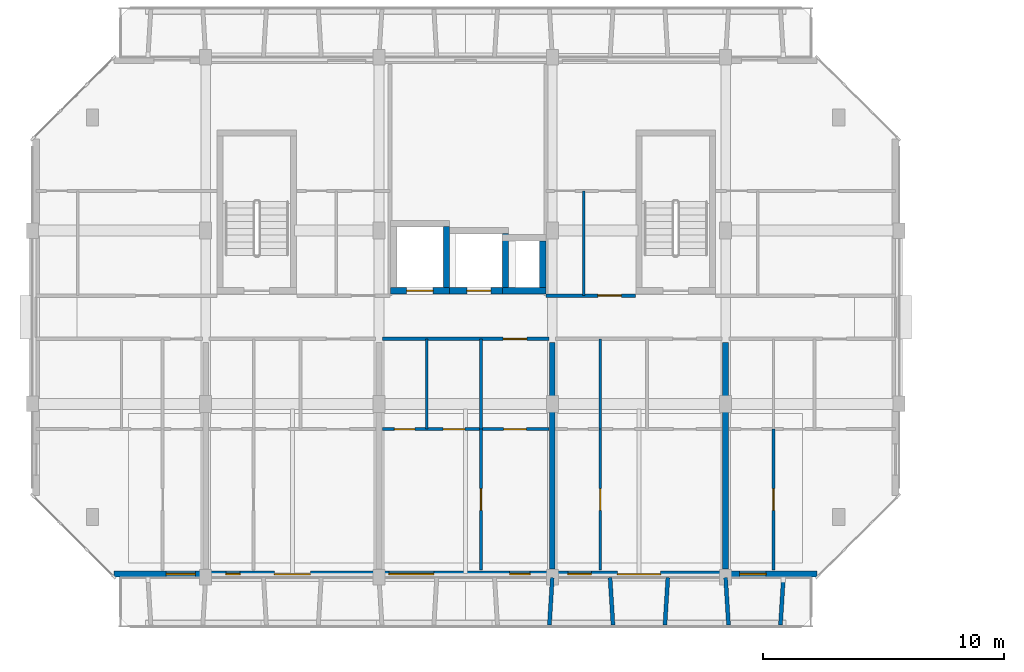
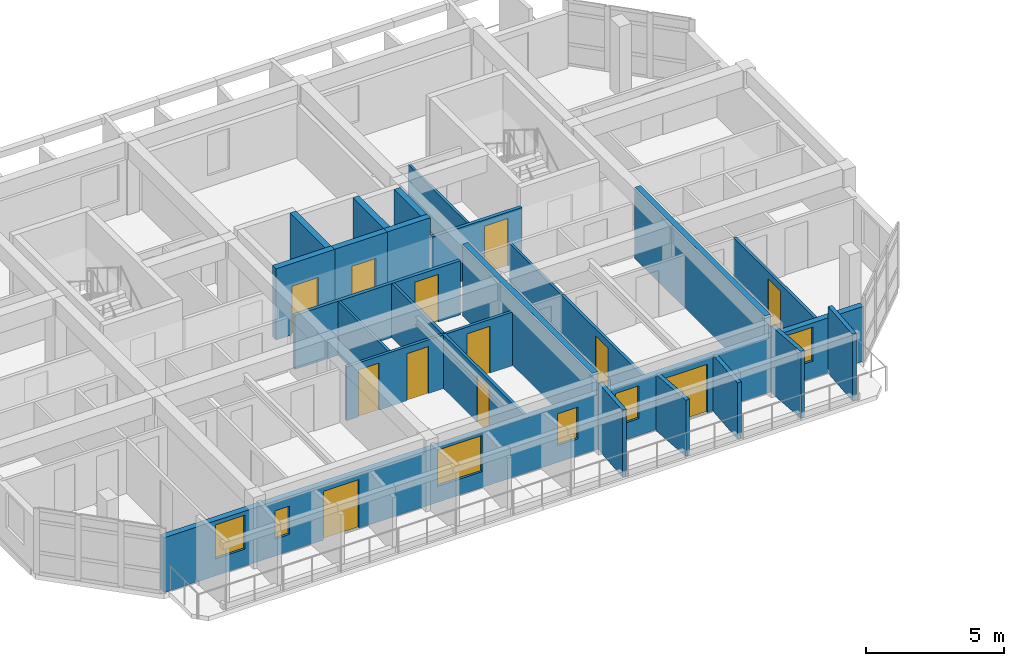
# One storey, part 15 of 43: 24 walls, 12 doors, 6 windows, 18 openings.
"""IFC4 building model written with IfcOpenShell, lengths in metres."""

from ifc_helpers import new_model, si_unit, direction, frame, frame_2d, origin, place, context, subcontext, project, spatial, rectangle, extrude, material, layer, layer_set, type_object, element, fill, save


model = new_model("IFC4")

# Units and contexts
model_context = context("Model", 3, precision=1e-05, world=origin(), true_north=direction((0.0, 1.0)))
body_context = subcontext(model_context, "Body", "Model", "MODEL_VIEW")
ifc_project = project(units=[si_unit("LENGTHUNIT", "METRE"), si_unit("AREAUNIT", "SQUARE_METRE"), si_unit("VOLUMEUNIT", "CUBIC_METRE"), si_unit("PLANEANGLEUNIT", "RADIAN"), si_unit("MASSUNIT", "GRAM", prefix="KILO")], contexts=[model_context])

# Site, building, storey
site_placement = place(None, origin())
site = spatial("IfcSite", under=ifc_project, at=site_placement, CompositionType="ELEMENT")
building_placement = place(site_placement, origin())
building = spatial("IfcBuilding", under=site, at=building_placement, Name="Ochrevale Crest", CompositionType="ELEMENT")
storey_placement = place(building_placement, frame((0.0, 0.0, 15.0)))
storey = spatial("IfcBuildingStorey", under=building, at=storey_placement, Name="L04", CompositionType="ELEMENT", Elevation=15.0)

# Wall, opening, door
ifc_material_1 = material(Name="Gypsum plasterboard", Category="gypsum")
ifc_layer_1 = layer(ifc_material_1, 0.139892578125)
ifc_layer_set_1 = layer_set([ifc_layer_1], Name="Gypsum plasterboard")
wall_type_1 = type_object("IfcWallType", Name="WL-COR-140", PredefinedType="PARTITIONING", material=ifc_layer_set_1)
wall_1_placement = place(storey_placement, frame((14.5400390625, 24.300048828125, 0.0), z_axis=(0.0, 0.0, 1.0), x_axis=(1.0, 0.0, 0.0)))
wall_1 = element("IfcWall", 1, at=wall_1_placement, inside=storey, type_object=wall_type_1, Name="Apartment A-L04-U3 corridor wall", PredefinedType="PARTITIONING", context=body_context, shape_type="SweptSolid", body=[
    extrude(rectangle(XDim=6.919921875, YDim=0.139892578125, at=frame_2d((3.4599609375, 0.0))), origin(), (0.0, 0.0, 1.0), 2.3798828125),
])
opening_1_placement = place(wall_1_placement, frame((5.02001953125, 0.0, 0.0)))
opening_1 = element("IfcOpeningElement", 2, at=opening_1_placement, cuts=wall_1, Name="Opening FD01", PredefinedType="OPENING", context=body_context, shape_type="SweptSolid", body=[
    extrude(rectangle(XDim=0.97998046875, YDim=2.10009765625, at=frame_2d((0.489990234375, 1.050048828125))), frame((0.0, 0.080078125, 0.0), z_axis=(0.0, -1.0, 0.0), x_axis=(1.0, 0.0, 0.0)), (0.0, 0.0, 1.0), 0.159912109375),
])
ifc_material_2 = material(Name="Solid-core FSC hardwood", Category="wood")
door_type_1 = type_object("IfcDoorType", Name="DR-APT-950", OperationType="NOTDEFINED", PredefinedType="DOOR", material=ifc_material_2)
door_1_placement = place(opening_1_placement, origin())
door_1 = element("IfcDoor", 3, at=door_1_placement, inside=storey, type_object=door_type_1, Name="Apartment A-L04-U3 entrance door", OperationType="SINGLE_SWING_LEFT", OverallHeight=2.10009765625, OverallWidth=0.97998046875, PredefinedType="DOOR", context=body_context, shape_type="SweptSolid", body=[
    extrude(rectangle(XDim=0.97998046875, YDim=2.10009765625, at=frame_2d((0.489990234375, 1.050048828125))), frame((0.0, 0.02490234375, 0.0), z_axis=(0.0, -1.0, 0.0), x_axis=(1.0, 0.0, 0.0)), (0.0, 0.0, 1.0), 0.050048828125),
])
fill(opening_1, door_1)

wall_2_placement = place(storey_placement, frame((21.340087890625, 26.10009765625, 0.0), z_axis=(0.0, 0.0, 1.0), x_axis=(1.0, 0.0, 0.0)))
wall_2 = element("IfcWall", 4, at=wall_2_placement, inside=storey, type_object=wall_type_1, Name="Suite A-L04-ME corridor wall", PredefinedType="PARTITIONING", context=body_context, shape_type="SweptSolid", body=[
    extrude(rectangle(XDim=3.719970703125, YDim=0.139892578125, at=frame_2d((1.85986328125, 0.0))), origin(), (0.0, 0.0, 1.0), 2.3798828125),
])
opening_2_placement = place(wall_2_placement, frame((3.131103515625, 0.0, 0.0), z_axis=(0.0, 0.0, 1.0), x_axis=(-1.0, 0.0, 0.0)))
opening_2 = element("IfcOpeningElement", 5, at=opening_2_placement, cuts=wall_2, Name="Opening FD01", PredefinedType="OPENING", context=body_context, shape_type="SweptSolid", body=[
    extrude(rectangle(XDim=0.97998046875, YDim=2.10009765625, at=frame_2d((0.489990234375, 1.050048828125))), frame((0.0, 0.080078125, 0.0), z_axis=(0.0, -1.0, 0.0), x_axis=(1.0, 0.0, 0.0)), (0.0, 0.0, 1.0), 0.159912109375),
])
door_2_placement = place(opening_2_placement, origin())
door_2 = element("IfcDoor", 6, at=door_2_placement, inside=storey, type_object=door_type_1, Name="Suite A-L04-ME entrance door", OperationType="SINGLE_SWING_RIGHT", OverallHeight=2.10009765625, OverallWidth=0.97998046875, PredefinedType="DOOR", context=body_context, shape_type="SweptSolid", body=[
    extrude(rectangle(XDim=0.97998046875, YDim=2.10009765625, at=frame_2d((0.489990234375, 1.050048828125))), frame((0.0, 0.02490234375, 0.0), z_axis=(0.0, -1.0, 0.0), x_axis=(1.0, 0.0, 0.0)), (0.0, 0.0, 1.0), 0.050048828125),
])
fill(opening_2, door_2)

ifc_material_3 = material(Name="Precast concrete C50/60", Category="concrete")
ifc_layer_2 = layer(ifc_material_3, 0.2548828125)
ifc_layer_set_2 = layer_set([ifc_layer_2], Name="Precast concrete C50/60")
wall_type_2 = type_object("IfcWallType", Name="WL-CORE-255", PredefinedType="SHEAR", material=ifc_layer_set_2)
wall_3_placement = place(storey_placement, frame((14.87255859375, 26.300048828125, 0.0), z_axis=(0.0, 0.0, 1.0), x_axis=(1.0, 0.0, 0.0)))
wall_3 = element("IfcWall", 7, at=wall_3_placement, inside=storey, type_object=wall_type_2, Name="Block A L04 Lift 1 precast shaft shear wall S", PredefinedType="SHEAR", context=body_context, shape_type="SweptSolid", body=[
    extrude(rectangle(XDim=2.454833984375, YDim=0.2548828125, at=frame_2d((1.2275390625, 0.0))), origin(), (0.0, 0.0, 1.0), 3.14990234375),
])
opening_3_placement = place(wall_3_placement, frame((0.677490234375, 0.0, 0.0)))
opening_3 = element("IfcOpeningElement", 8, at=opening_3_placement, cuts=wall_3, Name="Opening LD01", PredefinedType="OPENING", context=body_context, shape_type="SweptSolid", body=[
    extrude(rectangle(XDim=1.10009765625, YDim=2.14990234375, at=frame_2d((0.550048828125, 1.074951171875))), frame((0.0, 0.137451171875, 0.0), z_axis=(0.0, -1.0, 0.0), x_axis=(1.0, 0.0, 0.0)), (0.0, 0.0, 1.0), 0.27490234375),
])
door_type_2 = type_object("IfcDoorType", Name="DR-LIFT-1100", OperationType="NOTDEFINED", PredefinedType="DOOR", material=ifc_material_2)
door_3_placement = place(opening_3_placement, origin())
door_3 = element("IfcDoor", 9, at=door_3_placement, inside=storey, type_object=door_type_2, Name="Lift LF-A1 L04 sliding landing door", OperationType="SLIDING_TO_LEFT", OverallHeight=2.14990234375, OverallWidth=1.10009765625, PredefinedType="DOOR", context=body_context, shape_type="SweptSolid", body=[
    extrude(rectangle(XDim=1.10009765625, YDim=2.14990234375, at=frame_2d((0.550048828125, 1.074951171875))), frame((0.0, 0.02490234375, 0.0), z_axis=(0.0, -1.0, 0.0), x_axis=(1.0, 0.0, 0.0)), (0.0, 0.0, 1.0), 0.050048828125),
])
fill(opening_3, door_3)

# Wall
wall_4_placement = place(storey_placement, frame((17.199951171875, 26.427490234375, 0.0), z_axis=(0.0, 0.0, 1.0), x_axis=(0.0, 1.0, 0.0)))
element("IfcWall", 10, at=wall_4_placement, inside=storey, type_object=wall_type_2, Name="Block A L04 Lift 1 precast shaft shear wall E", PredefinedType="SHEAR", context=body_context, shape_type="SweptSolid", body=[
    extrude(rectangle(XDim=2.544921875, YDim=0.2548828125, at=frame_2d((1.2724609375, 0.0))), origin(), (0.0, 0.0, 1.0), 3.14990234375),
])

# Wall, opening, door
wall_5_placement = place(storey_placement, frame((17.322509765625, 26.300048828125, 0.0), z_axis=(0.0, 0.0, 1.0), x_axis=(1.0, 0.0, 0.0)))
wall_5 = element("IfcWall", 11, at=wall_5_placement, inside=storey, type_object=wall_type_2, Name="Block A L04 Lift 2 precast shaft shear wall S", PredefinedType="SHEAR", context=body_context, shape_type="SweptSolid", body=[
    extrude(rectangle(XDim=2.455078125, YDim=0.2548828125, at=frame_2d((1.2275390625, 0.0))), origin(), (0.0, 0.0, 1.0), 3.14990234375),
])
opening_4_placement = place(wall_5_placement, frame((0.7275390625, 0.0, 0.0)))
opening_4 = element("IfcOpeningElement", 12, at=opening_4_placement, cuts=wall_5, Name="Opening LD02", PredefinedType="OPENING", context=body_context, shape_type="SweptSolid", body=[
    extrude(rectangle(XDim=1.0, YDim=2.14990234375, at=frame_2d((0.5, 1.074951171875))), frame((0.0, 0.137451171875, 0.0), z_axis=(0.0, -1.0, 0.0), x_axis=(1.0, 0.0, 0.0)), (0.0, 0.0, 1.0), 0.27490234375),
])
door_type_3 = type_object("IfcDoorType", Name="DR-LIFT-1000", OperationType="NOTDEFINED", PredefinedType="DOOR", material=ifc_material_2)
door_4_placement = place(opening_4_placement, origin())
door_4 = element("IfcDoor", 13, at=door_4_placement, inside=storey, type_object=door_type_3, Name="Lift LP-A2 L04 sliding landing door", OperationType="SLIDING_TO_RIGHT", OverallHeight=2.14990234375, OverallWidth=1.0, PredefinedType="DOOR", context=body_context, shape_type="SweptSolid", body=[
    extrude(rectangle(XDim=1.0, YDim=2.14990234375, at=frame_2d((0.5, 1.074951171875))), frame((0.0, 0.02490234375, 0.0), z_axis=(0.0, -1.0, 0.0), x_axis=(1.0, 0.0, 0.0)), (0.0, 0.0, 1.0), 0.050048828125),
])
fill(opening_4, door_4)

# Walls
wall_6_placement = place(storey_placement, frame((19.64990234375, 26.427490234375, 0.0), z_axis=(0.0, 0.0, 1.0), x_axis=(0.0, 1.0, 0.0)))
element("IfcWall", 14, at=wall_6_placement, inside=storey, type_object=wall_type_2, Name="Block A L04 Lift 2 precast shaft shear wall E", PredefinedType="SHEAR", context=body_context, shape_type="SweptSolid", body=[
    extrude(rectangle(XDim=2.2451171875, YDim=0.2548828125, at=frame_2d((1.12255859375, 0.0))), origin(), (0.0, 0.0, 1.0), 3.14990234375),
])
wall_7_placement = place(storey_placement, frame((19.5224609375, 26.300048828125, 0.0), z_axis=(0.0, 0.0, 1.0), x_axis=(1.0, 0.0, 0.0)))
element("IfcWall", 15, at=wall_7_placement, inside=storey, type_object=wall_type_2, Name="Block A L04 services riser shaft core wall S", PredefinedType="SHEAR", context=body_context, shape_type="SweptSolid", body=[
    extrude(rectangle(XDim=1.804931640625, YDim=0.2548828125, at=frame_2d((0.90234375, 0.0))), origin(), (0.0, 0.0, 1.0), 3.14990234375),
])
wall_8_placement = place(storey_placement, frame((21.199951171875, 26.427490234375, 0.0), z_axis=(0.0, 0.0, 1.0), x_axis=(0.0, 1.0, 0.0)))
element("IfcWall", 16, at=wall_8_placement, inside=storey, type_object=wall_type_2, Name="Block A L04 services riser shaft core wall E", PredefinedType="SHEAR", context=body_context, shape_type="SweptSolid", body=[
    extrude(rectangle(XDim=1.945068359375, YDim=0.2548828125, at=frame_2d((0.97265625, 0.0))), origin(), (0.0, 0.0, 1.0), 3.14990234375),
])

# Wall, openings, doors, windows
ifc_material_4 = material(Name="Precast concrete C40/50", Category="concrete")
ifc_layer_3 = layer(ifc_material_4, 0.25)
ifc_layer_set_3 = layer_set([ifc_layer_3], Name="Precast concrete C40/50")
wall_type_3 = type_object("IfcWallType", Name="WL-EXT-GOLD-250", PredefinedType="SOLIDWALL", material=ifc_layer_set_3)
wall_9_placement = place(storey_placement, frame((3.39990234375, 14.52490234375, 0.0), z_axis=(0.0, 0.0, 1.0), x_axis=(1.0, 0.0, 0.0)))
wall_9 = element("IfcWall", 17, at=wall_9_placement, inside=storey, type_object=wall_type_3, Name="Block A L04 external facade wall E1", PredefinedType="SOLIDWALL", context=body_context, shape_type="SweptSolid", body=[
    extrude(rectangle(XDim=29.2001953125, YDim=0.25, at=frame_2d((14.60009765625, 0.0))), origin(), (0.0, 0.0, 1.0), 2.429931640625),
])
opening_5_placement = place(wall_9_placement, frame((8.14990234375, 0.0, 0.0), z_axis=(0.0, 0.0, 1.0), x_axis=(-1.0, 0.0, 0.0)))
opening_5 = element("IfcOpeningElement", 18, at=opening_5_placement, cuts=wall_9, Name="Opening BD01", PredefinedType="OPENING", context=body_context, shape_type="SweptSolid", body=[
    extrude(rectangle(XDim=1.5, YDim=2.14990234375, at=frame_2d((0.75, 1.074951171875))), frame((0.0, 0.135009765625, 0.0), z_axis=(0.0, -1.0, 0.0), x_axis=(1.0, 0.0, 0.0)), (0.0, 0.0, 1.0), 0.27001953125),
])
opening_6_placement = place(wall_9_placement, frame((22.699951171875, 0.0, 0.0), z_axis=(0.0, 0.0, 1.0), x_axis=(-1.0, 0.0, 0.0)))
opening_6 = element("IfcOpeningElement", 19, at=opening_6_placement, cuts=wall_9, Name="Opening BD03", PredefinedType="OPENING", context=body_context, shape_type="SweptSolid", body=[
    extrude(rectangle(XDim=1.800048828125, YDim=2.14990234375, at=frame_2d((0.89990234375, 1.074951171875))), frame((0.0, 0.135009765625, 0.0), z_axis=(0.0, -1.0, 0.0), x_axis=(1.0, 0.0, 0.0)), (0.0, 0.0, 1.0), 0.27001953125),
])
opening_7_placement = place(wall_9_placement, frame((2.155029296875, 0.0, 0.75)))
opening_7 = element("IfcOpeningElement", 20, at=opening_7_placement, cuts=wall_9, Name="Opening W06", PredefinedType="OPENING", context=body_context, shape_type="SweptSolid", body=[
    extrude(rectangle(XDim=1.219970703125, YDim=1.5, at=frame_2d((0.60986328125, 0.75))), frame((0.0, 0.135009765625, 0.0), z_axis=(0.0, -1.0, 0.0), x_axis=(1.0, 0.0, 0.0)), (0.0, 0.0, 1.0), 0.27001953125),
])
opening_8_placement = place(wall_9_placement, frame((4.635009765625, 0.0, 0.75)))
opening_8 = element("IfcOpeningElement", 21, at=opening_8_placement, cuts=wall_9, Name="Opening W01", PredefinedType="OPENING", context=body_context, shape_type="SweptSolid", body=[
    extrude(rectangle(XDim=0.60009765625, YDim=1.25, at=frame_2d((0.300048828125, 0.625))), frame((0.0, 0.135009765625, 0.0), z_axis=(0.0, -1.0, 0.0), x_axis=(1.0, 0.0, 0.0)), (0.0, 0.0, 1.0), 0.27001953125),
])
opening_9_placement = place(wall_9_placement, frame((11.4150390625, 0.0, 0.699951171875)))
opening_9 = element("IfcOpeningElement", 22, at=opening_9_placement, cuts=wall_9, Name="Opening W11", PredefinedType="OPENING", context=body_context, shape_type="SweptSolid", body=[
    extrude(rectangle(XDim=1.860107421875, YDim=1.60009765625, at=frame_2d((0.93017578125, 0.800048828125))), frame((0.0, 0.135009765625, 0.0), z_axis=(0.0, -1.0, 0.0), x_axis=(1.0, 0.0, 0.0)), (0.0, 0.0, 1.0), 0.27001953125),
])
opening_10_placement = place(wall_9_placement, frame((16.429931640625, 0.0, 0.75)))
opening_10 = element("IfcOpeningElement", 23, at=opening_10_placement, cuts=wall_9, Name="Opening W03", PredefinedType="OPENING", context=body_context, shape_type="SweptSolid", body=[
    extrude(rectangle(XDim=0.85009765625, YDim=1.39990234375, at=frame_2d((0.425048828125, 0.699951171875))), frame((0.0, 0.135009765625, 0.0), z_axis=(0.0, -1.0, 0.0), x_axis=(1.0, 0.0, 0.0)), (0.0, 0.0, 1.0), 0.27001953125),
])
opening_11_placement = place(wall_9_placement, frame((18.844970703125, 0.0, 0.75)))
opening_11 = element("IfcOpeningElement", 24, at=opening_11_placement, cuts=wall_9, Name="Opening W04", PredefinedType="OPENING", context=body_context, shape_type="SweptSolid", body=[
    extrude(rectangle(XDim=0.97998046875, YDim=1.449951171875, at=frame_2d((0.489990234375, 0.72509765625))), frame((0.0, 0.135009765625, 0.0), z_axis=(0.0, -1.0, 0.0), x_axis=(1.0, 0.0, 0.0)), (0.0, 0.0, 1.0), 0.27001953125),
])
opening_12_placement = place(wall_9_placement, frame((25.985107421875, 0.0, 0.75)))
opening_12 = element("IfcOpeningElement", 25, at=opening_12_placement, cuts=wall_9, Name="Opening W05", PredefinedType="OPENING", context=body_context, shape_type="SweptSolid", body=[
    extrude(rectangle(XDim=1.10009765625, YDim=1.5, at=frame_2d((0.550048828125, 0.75))), frame((0.0, 0.135009765625, 0.0), z_axis=(0.0, -1.0, 0.0), x_axis=(1.0, 0.0, 0.0)), (0.0, 0.0, 1.0), 0.27001953125),
])
ifc_material_5 = material(Name="Anodised aluminium 6063-T5 and toughened glass", Category="aluminium")
door_type_4 = type_object("IfcDoorType", Name="DR-BAL-1500", OperationType="NOTDEFINED", PredefinedType="DOOR", material=ifc_material_5)
door_5_placement = place(opening_5_placement, origin())
door_5 = element("IfcDoor", 26, at=door_5_placement, inside=storey, type_object=door_type_4, Name="Block A L04 balcony door S2", OperationType="SINGLE_SWING_LEFT", OverallHeight=2.14990234375, OverallWidth=1.5, PredefinedType="DOOR", context=body_context, shape_type="SweptSolid", body=[
    extrude(rectangle(XDim=1.5, YDim=2.14990234375, at=frame_2d((0.75, 1.074951171875))), frame((0.0, 0.02490234375, 0.0), z_axis=(0.0, -1.0, 0.0), x_axis=(1.0, 0.0, 0.0)), (0.0, 0.0, 1.0), 0.050048828125),
])
fill(opening_5, door_5)
door_type_5 = type_object("IfcDoorType", Name="DR-BAL-1800", OperationType="NOTDEFINED", PredefinedType="DOOR", material=ifc_material_5)
door_6_placement = place(opening_6_placement, origin())
door_6 = element("IfcDoor", 27, at=door_6_placement, inside=storey, type_object=door_type_5, Name="Block A L04 balcony door S4", OperationType="SINGLE_SWING_RIGHT", OverallHeight=2.14990234375, OverallWidth=1.800048828125, PredefinedType="DOOR", context=body_context, shape_type="SweptSolid", body=[
    extrude(rectangle(XDim=1.800048828125, YDim=2.14990234375, at=frame_2d((0.89990234375, 1.074951171875))), frame((0.0, 0.02490234375, 0.0), z_axis=(0.0, -1.0, 0.0), x_axis=(1.0, 0.0, 0.0)), (0.0, 0.0, 1.0), 0.050048828125),
])
fill(opening_6, door_6)
ifc_material_6 = material(Name="Anodised aluminium 6063-T5 and low-E double glazing", Category="aluminium")
window_type_1 = type_object("IfcWindowType", Name="WIN-W01", PartitioningType="SINGLE_PANEL", PredefinedType="WINDOW", material=ifc_material_6)
window_1_placement = place(opening_8_placement, origin())
window_1 = element("IfcWindow", 28, at=window_1_placement, inside=storey, type_object=window_type_1, Name="Block A L04 Apartment A-L04-U2 Master Bedroom window", OverallHeight=1.25, OverallWidth=0.60009765625, PartitioningType="SINGLE_PANEL", PredefinedType="WINDOW", context=body_context, shape_type="SweptSolid", body=[
    extrude(rectangle(XDim=0.60009765625, YDim=1.25, at=frame_2d((0.300048828125, 0.625))), frame((0.0, 0.030029296875, 0.0), z_axis=(0.0, -1.0, 0.0), x_axis=(1.0, 0.0, 0.0)), (0.0, 0.0, 1.0), 0.06005859375),
])
fill(opening_8, window_1)
window_type_2 = type_object("IfcWindowType", Name="WIN-W03", PartitioningType="SINGLE_PANEL", PredefinedType="WINDOW", material=ifc_material_6)
window_2_placement = place(opening_10_placement, origin())
window_2 = element("IfcWindow", 29, at=window_2_placement, inside=storey, type_object=window_type_2, Name="Block A L04 Apartment A-L04-U3 Three Bedroom Family Living window", OverallHeight=1.39990234375, OverallWidth=0.85009765625, PartitioningType="SINGLE_PANEL", PredefinedType="WINDOW", context=body_context, shape_type="SweptSolid", body=[
    extrude(rectangle(XDim=0.85009765625, YDim=1.39990234375, at=frame_2d((0.425048828125, 0.699951171875))), frame((0.0, 0.030029296875, 0.0), z_axis=(0.0, -1.0, 0.0), x_axis=(1.0, 0.0, 0.0)), (0.0, 0.0, 1.0), 0.06005859375),
])
fill(opening_10, window_2)
window_type_3 = type_object("IfcWindowType", Name="WIN-W04", PartitioningType="SINGLE_PANEL", PredefinedType="WINDOW", material=ifc_material_6)
window_3_placement = place(opening_11_placement, origin())
window_3 = element("IfcWindow", 30, at=window_3_placement, inside=storey, type_object=window_type_3, Name="Block A L04 Apartment A-L04-U4 Double Bedroom window", OverallHeight=1.449951171875, OverallWidth=0.97998046875, PartitioningType="SINGLE_PANEL", PredefinedType="WINDOW", context=body_context, shape_type="SweptSolid", body=[
    extrude(rectangle(XDim=0.97998046875, YDim=1.449951171875, at=frame_2d((0.489990234375, 0.72509765625))), frame((0.0, 0.030029296875, 0.0), z_axis=(0.0, -1.0, 0.0), x_axis=(1.0, 0.0, 0.0)), (0.0, 0.0, 1.0), 0.06005859375),
])
fill(opening_11, window_3)
window_type_4 = type_object("IfcWindowType", Name="WIN-W05", PartitioningType="SINGLE_PANEL", PredefinedType="WINDOW", material=ifc_material_6)
window_4_placement = place(opening_12_placement, origin())
window_4 = element("IfcWindow", 31, at=window_4_placement, inside=storey, type_object=window_type_4, Name="Block A L04 Apartment A-L04-U5 Master Bedroom window", OverallHeight=1.5, OverallWidth=1.10009765625, PartitioningType="SINGLE_PANEL", PredefinedType="WINDOW", context=body_context, shape_type="SweptSolid", body=[
    extrude(rectangle(XDim=1.10009765625, YDim=1.5, at=frame_2d((0.550048828125, 0.75))), frame((0.0, 0.030029296875, 0.0), z_axis=(0.0, -1.0, 0.0), x_axis=(1.0, 0.0, 0.0)), (0.0, 0.0, 1.0), 0.06005859375),
])
fill(opening_12, window_4)
window_type_5 = type_object("IfcWindowType", Name="WIN-W06", PartitioningType="SINGLE_PANEL", PredefinedType="WINDOW", material=ifc_material_6)
window_5_placement = place(opening_7_placement, origin())
window_5 = element("IfcWindow", 32, at=window_5_placement, inside=storey, type_object=window_type_5, Name="Block A L04 Apartment A-L04-U1 Two Bedroom Living Room window", OverallHeight=1.5, OverallWidth=1.219970703125, PartitioningType="SINGLE_PANEL", PredefinedType="WINDOW", context=body_context, shape_type="SweptSolid", body=[
    extrude(rectangle(XDim=1.219970703125, YDim=1.5, at=frame_2d((0.60986328125, 0.75))), frame((0.0, 0.030029296875, 0.0), z_axis=(0.0, -1.0, 0.0), x_axis=(1.0, 0.0, 0.0)), (0.0, 0.0, 1.0), 0.06005859375),
])
fill(opening_7, window_5)
window_type_6 = type_object("IfcWindowType", Name="WIN-W11", PartitioningType="SINGLE_PANEL", PredefinedType="WINDOW", material=ifc_material_6)
window_6_placement = place(opening_9_placement, origin())
window_6 = element("IfcWindow", 33, at=window_6_placement, inside=storey, type_object=window_type_6, Name="Block A L04 Apartment A-L04-U3 Twin Bedroom window", OverallHeight=1.60009765625, OverallWidth=1.860107421875, PartitioningType="SINGLE_PANEL", PredefinedType="WINDOW", context=body_context, shape_type="SweptSolid", body=[
    extrude(rectangle(XDim=1.860107421875, YDim=1.60009765625, at=frame_2d((0.93017578125, 0.800048828125))), frame((0.0, 0.030029296875, 0.0), z_axis=(0.0, -1.0, 0.0), x_axis=(1.0, 0.0, 0.0)), (0.0, 0.0, 1.0), 0.06005859375),
])
fill(opening_9, window_6)

# Walls
ifc_layer_4 = layer(ifc_material_4, 0.1650390625)
ifc_layer_set_4 = layer_set([ifc_layer_4], Name="Precast concrete C40/50")
wall_type_4 = type_object("IfcWallType", Name="WL-HC-CHEEK-165", PredefinedType="ELEMENTEDWALL", material=ifc_layer_set_4)
wall_10_placement = place(storey_placement, frame((21.60009765625, 14.3798828125, 0.0), z_axis=(0.0, 0.0, 1.0), x_axis=(-0.061170732449, -0.998127317276, 0.0)))
element("IfcWall", 34, at=wall_10_placement, inside=storey, type_object=wall_type_4, Name="Block A L04 S precast honeycomb cheek 8", PredefinedType="ELEMENTEDWALL", context=body_context, shape_type="SweptSolid", body=[
    extrude(rectangle(XDim=1.963623046875, YDim=0.1650390625, at=frame_2d((0.98193359375, 0.0))), origin(), (0.0, 0.0, 1.0), 2.949951171875),
])
for number, where, z_axis, x_axis, name in (
    (35, (24.0, 14.3798828125, 0.0), (0.0, 0.0, 1.0), (0.061170732449, -0.998127317276, 0.0), "Block A L04 S precast honeycomb cheek 9"),
    (36, (26.39990234375, 14.3798828125, 0.0), (0.0, 0.0, 1.0), (-0.061046865508, -0.998134900808, 0.0), "Block A L04 S precast honeycomb cheek 10"),
):
    element("IfcWall", number, at=place(storey_placement, frame(where, z_axis=z_axis, x_axis=x_axis)), inside=storey, type_object=wall_type_4, Name=name, PredefinedType="ELEMENTEDWALL", context=body_context, shape_type="SweptSolid", body=[
        extrude(rectangle(XDim=1.963623046875, YDim=0.1650390625, at=frame_2d((0.98193359375, 0.0))), origin(), (0.0, 0.0, 1.0), 2.47998046875),
    ])
for number, where, z_axis, x_axis, name in (
    (37, (28.800048828125, 14.3798828125, 0.0), (0.0, 0.0, 1.0), (0.061046865508, -0.998134900808, 0.0), "Block A L04 S precast honeycomb cheek 11"),
    (38, (31.199951171875, 14.3798828125, 0.0), (0.0, 0.0, 1.0), (-0.061046865508, -0.998134900808, 0.0), "Block A L04 S precast honeycomb cheek 12"),
):
    element("IfcWall", number, at=place(storey_placement, frame(where, z_axis=z_axis, x_axis=x_axis)), inside=storey, type_object=wall_type_4, Name=name, PredefinedType="ELEMENTEDWALL", context=body_context, shape_type="SweptSolid", body=[
        extrude(rectangle(XDim=1.963623046875, YDim=0.1650390625, at=frame_2d((0.98193359375, 0.0))), origin(), (0.0, 0.0, 1.0), 2.949951171875),
    ])
ifc_layer_5 = layer(ifc_material_1, 0.1201171875)
ifc_layer_set_5 = layer_set([ifc_layer_5], Name="Gypsum plasterboard")
wall_type_5 = type_object("IfcWallType", Name="WL-PART-120", PredefinedType="PARTITIONING", material=ifc_layer_set_5)
wall_11_placement = place(storey_placement, frame((18.639892578125, 20.550048828125, 0.0), z_axis=(0.0, 0.0, 1.0), x_axis=(0.0, 1.0, 0.0)))
element("IfcWall", 39, at=wall_11_placement, inside=storey, type_object=wall_type_5, Name="Apartment A-L04-U3 kitchen-foyer wall", PredefinedType="PARTITIONING", context=body_context, shape_type="SweptSolid", body=[
    extrude(rectangle(XDim=3.75, YDim=0.1201171875, at=frame_2d((1.875, 0.0))), origin(), (0.0, 0.0, 1.0), 2.375),
])

# Wall, openings, doors
wall_12_placement = place(storey_placement, frame((14.5400390625, 20.550048828125, 0.0), z_axis=(0.0, 0.0, 1.0), x_axis=(1.0, 0.0, 0.0)))
wall_12 = element("IfcWall", 40, at=wall_12_placement, inside=storey, type_object=wall_type_5, Name="Apartment A-L04-U3 central partition", PredefinedType="PARTITIONING", context=body_context, shape_type="SweptSolid", body=[
    extrude(rectangle(XDim=6.919921875, YDim=0.1201171875, at=frame_2d((3.4599609375, 0.0))), origin(), (0.0, 0.0, 1.0), 2.3798828125),
])
opening_13_placement = place(wall_12_placement, frame((1.35009765625, 0.0, 0.0), z_axis=(0.0, 0.0, 1.0), x_axis=(-1.0, 0.0, 0.0)))
opening_13 = element("IfcOpeningElement", 41, at=opening_13_placement, cuts=wall_12, Name="Opening ID01", PredefinedType="OPENING", context=body_context, shape_type="SweptSolid", body=[
    extrude(rectangle(XDim=0.85009765625, YDim=2.080078125, at=frame_2d((0.425048828125, 1.0400390625))), frame((0.0, 0.070068359375, 0.0), z_axis=(0.0, -1.0, 0.0), x_axis=(1.0, 0.0, 0.0)), (0.0, 0.0, 1.0), 0.14013671875),
])
opening_14_placement = place(wall_12_placement, frame((2.52490234375, 0.0, 0.0)))
opening_14 = element("IfcOpeningElement", 42, at=opening_14_placement, cuts=wall_12, Name="Opening ID02", PredefinedType="OPENING", context=body_context, shape_type="SweptSolid", body=[
    extrude(rectangle(XDim=0.89990234375, YDim=2.080078125, at=frame_2d((0.449951171875, 1.0400390625))), frame((0.0, 0.070068359375, 0.0), z_axis=(0.0, -1.0, 0.0), x_axis=(1.0, 0.0, 0.0)), (0.0, 0.0, 1.0), 0.14013671875),
])
opening_15_placement = place(wall_12_placement, frame((5.98486328125, 0.0, 0.0), z_axis=(0.0, 0.0, 1.0), x_axis=(-1.0, 0.0, 0.0)))
opening_15 = element("IfcOpeningElement", 43, at=opening_15_placement, cuts=wall_12, Name="Opening ID06", PredefinedType="OPENING", context=body_context, shape_type="SweptSolid", body=[
    extrude(rectangle(XDim=0.949951171875, YDim=2.080078125, at=frame_2d((0.47509765625, 1.0400390625))), frame((0.0, 0.070068359375, 0.0), z_axis=(0.0, -1.0, 0.0), x_axis=(1.0, 0.0, 0.0)), (0.0, 0.0, 1.0), 0.14013671875),
])
door_type_6 = type_object("IfcDoorType", Name="DR-INT-900", OperationType="NOTDEFINED", PredefinedType="DOOR", material=ifc_material_2)
door_7_placement = place(opening_14_placement, origin())
door_7 = element("IfcDoor", 44, at=door_7_placement, inside=storey, type_object=door_type_6, Name="Apartment A-L04-U3 Kitchen door", OperationType="SINGLE_SWING_LEFT", OverallHeight=2.080078125, OverallWidth=0.89990234375, PredefinedType="DOOR", context=body_context, shape_type="SweptSolid", body=[
    extrude(rectangle(XDim=0.89990234375, YDim=2.080078125, at=frame_2d((0.449951171875, 1.0400390625))), frame((0.0, 0.02490234375, 0.0), z_axis=(0.0, -1.0, 0.0), x_axis=(1.0, 0.0, 0.0)), (0.0, 0.0, 1.0), 0.050048828125),
])
fill(opening_14, door_7)
door_type_7 = type_object("IfcDoorType", Name="DR-INT-950", OperationType="NOTDEFINED", PredefinedType="DOOR", material=ifc_material_2)
door_8_placement = place(opening_15_placement, origin())
door_8 = element("IfcDoor", 45, at=door_8_placement, inside=storey, type_object=door_type_7, Name="Apartment A-L04-U3 Living Foyer door", OperationType="SINGLE_SWING_RIGHT", OverallHeight=2.080078125, OverallWidth=0.949951171875, PredefinedType="DOOR", context=body_context, shape_type="SweptSolid", body=[
    extrude(rectangle(XDim=0.949951171875, YDim=2.080078125, at=frame_2d((0.47509765625, 1.0400390625))), frame((0.0, 0.02490234375, 0.0), z_axis=(0.0, -1.0, 0.0), x_axis=(1.0, 0.0, 0.0)), (0.0, 0.0, 1.0), 0.050048828125),
])
fill(opening_15, door_8)
door_type_8 = type_object("IfcDoorType", Name="DR-WC-850", OperationType="NOTDEFINED", PredefinedType="DOOR", material=ifc_material_2)
door_9_placement = place(opening_13_placement, origin())
door_9 = element("IfcDoor", 46, at=door_9_placement, inside=storey, type_object=door_type_8, Name="Apartment A-L04-U3 Bathroom door", OperationType="SINGLE_SWING_RIGHT", OverallHeight=2.080078125, OverallWidth=0.85009765625, PredefinedType="DOOR", context=body_context, shape_type="SweptSolid", body=[
    extrude(rectangle(XDim=0.85009765625, YDim=2.080078125, at=frame_2d((0.425048828125, 1.0400390625))), frame((0.0, 0.02490234375, 0.0), z_axis=(0.0, -1.0, 0.0), x_axis=(1.0, 0.0, 0.0)), (0.0, 0.0, 1.0), 0.050048828125),
])
fill(opening_13, door_9)

# Wall, opening, door
wall_13_placement = place(storey_placement, frame((18.639892578125, 14.699951171875, 0.0), z_axis=(0.0, 0.0, 1.0), x_axis=(0.0, 1.0, 0.0)))
wall_13 = element("IfcWall", 47, at=wall_13_placement, inside=storey, type_object=wall_type_5, Name="Apartment A-L04-U3 bedroom partition", PredefinedType="PARTITIONING", context=body_context, shape_type="SweptSolid", body=[
    extrude(rectangle(XDim=5.85009765625, YDim=0.1201171875, at=frame_2d((2.925048828125, 0.0))), origin(), (0.0, 0.0, 1.0), 2.3798828125),
])
opening_16_placement = place(wall_13_placement, frame((2.47509765625, 0.0, 0.0)))
opening_16 = element("IfcOpeningElement", 48, at=opening_16_placement, cuts=wall_13, Name="Opening ID02", PredefinedType="OPENING", context=body_context, shape_type="SweptSolid", body=[
    extrude(rectangle(XDim=0.89990234375, YDim=2.080078125, at=frame_2d((0.449951171875, 1.0400390625))), frame((0.0, 0.070068359375, 0.0), z_axis=(0.0, -1.0, 0.0), x_axis=(1.0, 0.0, 0.0)), (0.0, 0.0, 1.0), 0.14013671875),
])
door_10_placement = place(opening_16_placement, origin())
door_10 = element("IfcDoor", 49, at=door_10_placement, inside=storey, type_object=door_type_6, Name="Apartment A-L04-U3 Twin Bedroom door", OperationType="SINGLE_SWING_LEFT", OverallHeight=2.080078125, OverallWidth=0.89990234375, PredefinedType="DOOR", context=body_context, shape_type="SweptSolid", body=[
    extrude(rectangle(XDim=0.89990234375, YDim=2.080078125, at=frame_2d((0.449951171875, 1.0400390625))), frame((0.0, 0.02490234375, 0.0), z_axis=(0.0, -1.0, 0.0), x_axis=(1.0, 0.0, 0.0)), (0.0, 0.0, 1.0), 0.050048828125),
])
fill(opening_16, door_10)

wall_14_placement = place(storey_placement, frame((23.590087890625, 14.699951171875, 0.0), z_axis=(0.0, 0.0, 1.0), x_axis=(0.0, 1.0, 0.0)))
wall_14 = element("IfcWall", 50, at=wall_14_placement, inside=storey, type_object=wall_type_5, Name="Apartment A-L04-U4 bedroom partition", PredefinedType="PARTITIONING", context=body_context, shape_type="SweptSolid", body=[
    extrude(rectangle(XDim=5.85009765625, YDim=0.1201171875, at=frame_2d((2.925048828125, 0.0))), origin(), (0.0, 0.0, 1.0), 2.3798828125),
])
opening_17_placement = place(wall_14_placement, frame((3.375, 0.0, 0.0), z_axis=(0.0, 0.0, 1.0), x_axis=(-1.0, 0.0, 0.0)))
opening_17 = element("IfcOpeningElement", 51, at=opening_17_placement, cuts=wall_14, Name="Opening ID02", PredefinedType="OPENING", context=body_context, shape_type="SweptSolid", body=[
    extrude(rectangle(XDim=0.89990234375, YDim=2.080078125, at=frame_2d((0.449951171875, 1.0400390625))), frame((0.0, 0.070068359375, 0.0), z_axis=(0.0, -1.0, 0.0), x_axis=(1.0, 0.0, 0.0)), (0.0, 0.0, 1.0), 0.14013671875),
])
door_11_placement = place(opening_17_placement, origin())
door_11 = element("IfcDoor", 52, at=door_11_placement, inside=storey, type_object=door_type_6, Name="Apartment A-L04-U4 Double Bedroom door", OperationType="SINGLE_SWING_RIGHT", OverallHeight=2.080078125, OverallWidth=0.89990234375, PredefinedType="DOOR", context=body_context, shape_type="SweptSolid", body=[
    extrude(rectangle(XDim=0.89990234375, YDim=2.080078125, at=frame_2d((0.449951171875, 1.0400390625))), frame((0.0, 0.02490234375, 0.0), z_axis=(0.0, -1.0, 0.0), x_axis=(1.0, 0.0, 0.0)), (0.0, 0.0, 1.0), 0.050048828125),
])
fill(opening_17, door_11)

wall_15_placement = place(storey_placement, frame((30.7900390625, 14.699951171875, 0.0), z_axis=(0.0, 0.0, 1.0), x_axis=(0.0, 1.0, 0.0)))
wall_15 = element("IfcWall", 53, at=wall_15_placement, inside=storey, type_object=wall_type_5, Name="Apartment A-L04-U5 bedroom partition", PredefinedType="PARTITIONING", context=body_context, shape_type="SweptSolid", body=[
    extrude(rectangle(XDim=5.85009765625, YDim=0.1201171875, at=frame_2d((2.925048828125, 0.0))), origin(), (0.0, 0.0, 1.0), 2.3798828125),
])
opening_18_placement = place(wall_15_placement, frame((2.47509765625, 0.0, 0.0)))
opening_18 = element("IfcOpeningElement", 54, at=opening_18_placement, cuts=wall_15, Name="Opening ID02", PredefinedType="OPENING", context=body_context, shape_type="SweptSolid", body=[
    extrude(rectangle(XDim=0.89990234375, YDim=2.080078125, at=frame_2d((0.449951171875, 1.0400390625))), frame((0.0, 0.070068359375, 0.0), z_axis=(0.0, -1.0, 0.0), x_axis=(1.0, 0.0, 0.0)), (0.0, 0.0, 1.0), 0.14013671875),
])
door_12_placement = place(opening_18_placement, origin())
door_12 = element("IfcDoor", 55, at=door_12_placement, inside=storey, type_object=door_type_6, Name="Apartment A-L04-U5 Master Bedroom door", OperationType="SINGLE_SWING_LEFT", OverallHeight=2.080078125, OverallWidth=0.89990234375, PredefinedType="DOOR", context=body_context, shape_type="SweptSolid", body=[
    extrude(rectangle(XDim=0.89990234375, YDim=2.080078125, at=frame_2d((0.449951171875, 1.0400390625))), frame((0.0, 0.02490234375, 0.0), z_axis=(0.0, -1.0, 0.0), x_axis=(1.0, 0.0, 0.0)), (0.0, 0.0, 1.0), 0.050048828125),
])
fill(opening_18, door_12)

# Walls
ifc_layer_6 = layer(ifc_material_3, 0.239990234375)
ifc_layer_set_6 = layer_set([ifc_layer_6], Name="Precast concrete C50/60")
wall_type_6 = type_object("IfcWallType", Name="WL-SHEAR-240", PredefinedType="SHEAR", material=ifc_layer_set_6)
for number, where, z_axis, x_axis, name in (
    (56, (21.60009765625, 14.75, 0.0), (0.0, 0.0, 1.0), (0.0, 1.0, 0.0), "Block A L04 load-bearing precast cross-wall X=21.6"),
    (57, (28.800048828125, 14.75, 0.0), (0.0, 0.0, 1.0), (0.0, 1.0, 0.0), "Block A L04 load-bearing precast cross-wall X=28.8"),
):
    element("IfcWall", number, at=place(storey_placement, frame(where, z_axis=z_axis, x_axis=x_axis)), inside=storey, type_object=wall_type_6, Name=name, PredefinedType="SHEAR", context=body_context, shape_type="SweptSolid", body=[
        extrude(rectangle(XDim=9.39990234375, YDim=0.239990234375, at=frame_2d((4.699951171875, 0.0))), origin(), (0.0, 0.0, 1.0), 3.14990234375),
    ])
ifc_layer_7 = layer(ifc_material_1, 0.10009765625)
ifc_layer_set_7 = layer_set([ifc_layer_7], Name="Gypsum plasterboard")
wall_type_7 = type_object("IfcWallType", Name="WL-WET-100", PredefinedType="PARTITIONING", material=ifc_layer_set_7)
for number, where, z_axis, x_axis, name in (
    (58, (16.389892578125, 20.550048828125, 0.0), (0.0, 0.0, 1.0), (0.0, 1.0, 0.0), "Apartment A-L04-U3 bath-kitchen wall"),
    (59, (23.590087890625, 20.550048828125, 0.0), (0.0, 0.0, 1.0), (0.0, 1.0, 0.0), "Apartment A-L04-U4 bath-kitchen wall"),
):
    element("IfcWall", number, at=place(storey_placement, frame(where, z_axis=z_axis, x_axis=x_axis)), inside=storey, type_object=wall_type_7, Name=name, PredefinedType="PARTITIONING", context=body_context, shape_type="SweptSolid", body=[
        extrude(rectangle(XDim=3.75, YDim=0.10009765625, at=frame_2d((1.875, 0.0))), origin(), (0.0, 0.0, 1.0), 2.375),
    ])
wall_16_placement = place(storey_placement, frame((22.90234375, 26.10009765625, 0.0), z_axis=(0.0, 0.0, 1.0), x_axis=(0.0, 1.0, 0.0)))
element("IfcWall", 60, at=wall_16_placement, inside=storey, type_object=wall_type_7, Name="Suite A-L04-ME bathroom divider", PredefinedType="PARTITIONING", context=body_context, shape_type="SweptSolid", body=[
    extrude(rectangle(XDim=4.349853515625, YDim=0.10009765625, at=frame_2d((2.1748046875, 0.0))), origin(), (0.0, 0.0, 1.0), 2.375),
])

save(model, "model.ifc")
